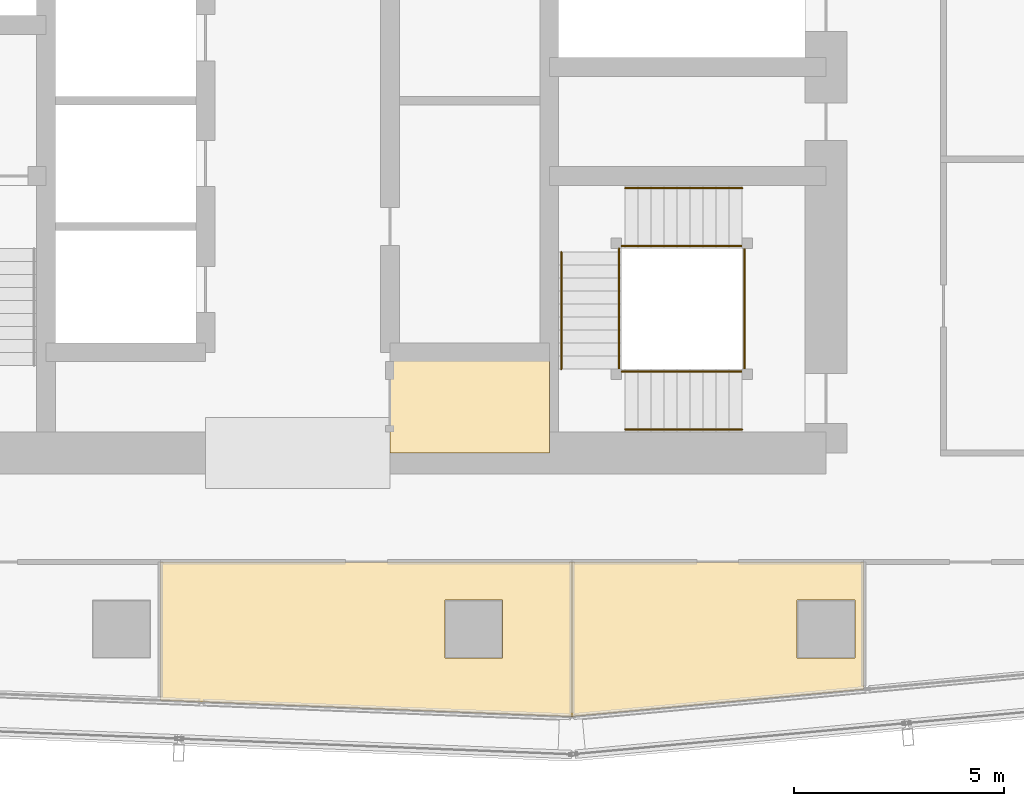
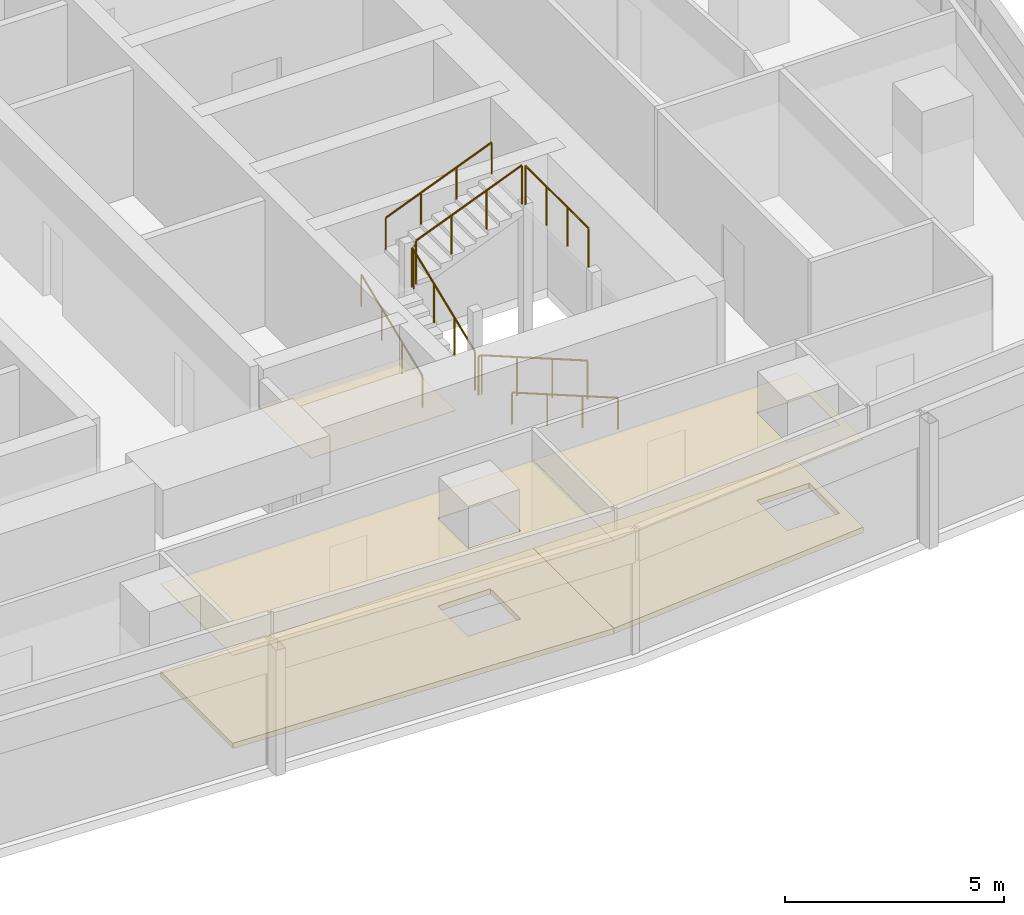
# One storey, part 35 of 38: 10 railings, 5 coverings.
"""IFC4 building model written with IfcOpenShell, lengths in metres."""

from ifc_helpers import new_model, si_unit, direction, frame, origin, origin_2d, place, context, subcontext, project, spatial, polyline, circle, outline, extrude, material, layer, layer_set, type_object, element, save


model = new_model("IFC4")

# Units and contexts
model_context = context("Model", 3, precision=1e-05, world=origin(), true_north=direction((0.0, 1.0)))
body_context = subcontext(model_context, "Body", "Model", "MODEL_VIEW")
ifc_project = project(units=[si_unit("LENGTHUNIT", "METRE"), si_unit("AREAUNIT", "SQUARE_METRE"), si_unit("VOLUMEUNIT", "CUBIC_METRE"), si_unit("PLANEANGLEUNIT", "RADIAN"), si_unit("MASSUNIT", "GRAM", prefix="KILO")], contexts=[model_context])

# Site, building, storey
site_placement = place(None, origin())
site = spatial("IfcSite", under=ifc_project, at=site_placement, CompositionType="ELEMENT")
building_placement = place(site_placement, origin())
building = spatial("IfcBuilding", under=site, at=building_placement, Name="Rekha Terrace Tower", CompositionType="ELEMENT")
storey_placement = place(building_placement, frame((0.0, 0.0, 195.199951171875)))
storey = spatial("IfcBuildingStorey", under=building, at=storey_placement, Name="L49", CompositionType="ELEMENT", Elevation=195.199951171875)

# Coverings
ifc_material_1 = material(Name="Mineral fibre tile in exposed grid", Category="finish")
ifc_layer_1 = layer(ifc_material_1, 0.02001953125)
ifc_layer_set_1 = layer_set([ifc_layer_1], Name="Mineral fibre tile in exposed grid")
covering_type_1 = type_object("IfcCoveringType", Name="CL1 600x1200 office grid ceiling", PredefinedType="CEILING", material=ifc_layer_set_1)
covering_1_placement = place(storey_placement, frame((0.0, 0.0, 2.580078125)))
element("IfcCovering", 1, at=covering_1_placement, inside=storey, type_object=covering_type_1, Name="Ceiling L49-02", PredefinedType="CEILING", context=body_context, shape_type="SweptSolid", body=[
    extrude(outline(polyline([(44.343994140625, 18.39990234375), (34.531005859375, 18.39990234375), (34.531005859375, 15.10205078125), (44.343994140625, 14.7109375), (44.343994140625, 18.39990234375)]), holes=[polyline([(42.68994140625, 17.489990234375), (42.68994140625, 16.110107421875), (41.31005859375, 16.110107421875), (41.31005859375, 17.489990234375), (42.68994140625, 17.489990234375)])]), origin(), (0.0, 0.0, 1.0), 0.02001953125),
])
covering_2_placement = place(storey_placement, frame((0.0, 0.0, 2.580078125)))
element("IfcCovering", 2, at=covering_2_placement, inside=storey, type_object=covering_type_1, Name="Ceiling L49-03", PredefinedType="CEILING", context=body_context, shape_type="SweptSolid", body=[
    extrude(outline(polyline([(51.2900390625, 15.362060546875), (51.2900390625, 18.39990234375), (44.344970703125, 18.39990234375), (44.344970703125, 14.715087890625), (51.2900390625, 15.362060546875)]), holes=[polyline([(51.090087890625, 16.110107421875), (49.7099609375, 16.110107421875), (49.7099609375, 17.489990234375), (51.090087890625, 17.489990234375), (51.090087890625, 16.110107421875)])]), origin(), (0.0, 0.0, 1.0), 0.02001953125),
])
ifc_material_2 = material(Name="Fibre cement board", Category="finish")
ifc_layer_2 = layer(ifc_material_2, 0.014892578125)
ifc_layer_set_2 = layer_set([ifc_layer_2], Name="Fibre cement board")
covering_type_2 = type_object("IfcCoveringType", Name="CL2 moisture-resistant board ceiling", PredefinedType="CEILING", material=ifc_layer_set_2)
covering_3_placement = place(storey_placement, frame((0.0, 0.0, 2.5849609375)))
element("IfcCovering", 3, at=covering_3_placement, inside=storey, type_object=covering_type_2, Name="Ceiling L49-WCA", PredefinedType="CEILING", context=body_context, shape_type="SweptSolid", body=[
    extrude(outline(polyline([(43.800048828125, 23.39990234375), (40.0, 23.39990234375), (40.0, 21.0), (43.800048828125, 21.0), (43.800048828125, 23.39990234375)])), origin(), (0.0, 0.0, 1.0), 0.01513671875),
])

# Railings
ifc_material_3 = material(Name="Stainless steel balustrade", Category="steel")
railing_type_1 = type_object("IfcRailingType", Name="GR1 1100 stair guard", PredefinedType="GUARDRAIL", material=ifc_material_3)
railing_1_placement = place(storey_placement, frame((48.39990234375, 22.93994140625, 0.125)))
element("IfcRailing", 4, at=railing_1_placement, inside=storey, type_object=railing_type_1, Name="Guard ST3 L49 flight 1", PredefinedType="GUARDRAIL", context=body_context, shape_type="SweptSolid", body=[
    extrude(circle(Radius=0.02392578125, at=origin_2d()), frame((0.0, 0.0, 1.076171875), z_axis=(-0.927431937212, 0.0, 0.373991980981), x_axis=(0.0, -1.0, 0.0)), (0.0, 0.0, 1.0), 3.008056640625),
    extrude(circle(Radius=0.02099609375, at=origin_2d()), origin(), (0.0, 0.0, 1.0), 1.052001953125),
    extrude(circle(Radius=0.02099609375, at=origin_2d()), frame((-0.929931640625, 0.0, 0.375)), (0.0, 0.0, 1.0), 1.052001953125),
    extrude(circle(Radius=0.02099609375, at=origin_2d()), frame((-1.85986328125, 0.0, 0.75)), (0.0, 0.0, 1.0), 1.052001953125),
    extrude(circle(Radius=0.02099609375, at=origin_2d()), frame((-2.789794921875, 0.0, 1.125)), (0.0, 0.0, 1.0), 1.052001953125),
])
railing_2_placement = place(storey_placement, frame((45.465087890625, 23.0, 1.375)))
element("IfcRailing", 5, at=railing_2_placement, inside=storey, type_object=railing_type_1, Name="Guard ST3 L49 flight 2", PredefinedType="GUARDRAIL", context=body_context, shape_type="SweptSolid", body=[
    extrude(circle(Radius=0.02392578125, at=origin_2d()), frame((0.0, 0.0, 1.076171875), z_axis=(0.0, 0.927443287984, 0.373963831907), x_axis=(-1.0, 0.0, 0.0)), (0.0, 0.0, 1.0), 3.00830078125),
    extrude(circle(Radius=0.02099609375, at=origin_2d()), origin(), (0.0, 0.0, 1.0), 1.052001953125),
    extrude(circle(Radius=0.02099609375, at=origin_2d()), frame((0.0, 0.929931640625, 0.375)), (0.0, 0.0, 1.0), 1.052001953125),
    extrude(circle(Radius=0.02099609375, at=origin_2d()), frame((0.0, 1.860107421875, 0.75)), (0.0, 0.0, 1.0), 1.052001953125),
    extrude(circle(Radius=0.02099609375, at=origin_2d()), frame((0.0, 2.7900390625, 1.125)), (0.0, 0.0, 1.0), 1.052001953125),
])
railing_3_placement = place(storey_placement, frame((45.610107421875, 25.93505859375, 2.625)))
element("IfcRailing", 6, at=railing_3_placement, inside=storey, type_object=railing_type_1, Name="Guard ST3 L49 flight 3", PredefinedType="GUARDRAIL", context=body_context, shape_type="SweptSolid", body=[
    extrude(circle(Radius=0.02392578125, at=origin_2d()), frame((0.0, 0.0, 1.076171875), z_axis=(0.927431937212, 0.0, 0.373991980981), x_axis=(0.0, 1.0, 0.0)), (0.0, 0.0, 1.0), 3.008056640625),
    extrude(circle(Radius=0.02099609375, at=origin_2d()), origin(), (0.0, 0.0, 1.0), 1.052001953125),
    extrude(circle(Radius=0.02099609375, at=origin_2d()), frame((0.929931640625, 0.0, 0.375)), (0.0, 0.0, 1.0), 1.052001953125),
    extrude(circle(Radius=0.02099609375, at=origin_2d()), frame((1.85986328125, 0.0, 0.75)), (0.0, 0.0, 1.0), 1.052001953125),
    extrude(circle(Radius=0.02099609375, at=origin_2d()), frame((2.789794921875, 0.0, 1.125)), (0.0, 0.0, 1.0), 1.052001953125),
])
railing_4_placement = place(storey_placement, frame((45.610107421875, 22.93994140625, 1.25)))
element("IfcRailing", 7, at=railing_4_placement, inside=storey, type_object=railing_type_1, Name="Guard ST3 L49 landing 1", PredefinedType="GUARDRAIL", context=body_context, shape_type="SweptSolid", body=[
    extrude(circle(Radius=0.02392578125, at=origin_2d()), frame((0.0, 0.0, 1.076171875), z_axis=(-1.0, 0.0, 0.0), x_axis=(0.0, -1.0, 0.0)), (0.0, 0.0, 1.0), 0.085205078125),
    extrude(circle(Radius=0.02099609375, at=origin_2d()), origin(), (0.0, 0.0, 1.0), 1.052001953125),
    extrude(circle(Radius=0.02099609375, at=origin_2d()), frame((-0.085205078125, 0.0, 0.0)), (0.0, 0.0, 1.0), 1.052001953125),
])
railing_5_placement = place(storey_placement, frame((45.465087890625, 25.7900390625, 2.5)))
element("IfcRailing", 8, at=railing_5_placement, inside=storey, type_object=railing_type_1, Name="Guard ST3 L49 landing 2", PredefinedType="GUARDRAIL", context=body_context, shape_type="SweptSolid", body=[
    extrude(circle(Radius=0.02392578125, at=origin_2d()), frame((0.0, 0.0, 1.076171875), z_axis=(0.0, 1.0, 0.0), x_axis=(-1.0, 0.0, 0.0)), (0.0, 0.0, 1.0), 0.0849609375),
    extrude(circle(Radius=0.02099609375, at=origin_2d()), origin(), (0.0, 0.0, 1.0), 1.052001953125),
    extrude(circle(Radius=0.02099609375, at=origin_2d()), frame((0.0, 0.0849609375, 0.0)), (0.0, 0.0, 1.0), 1.052001953125),
])
railing_6_placement = place(storey_placement, frame((45.610107421875, 25.93505859375, 2.5)))
element("IfcRailing", 9, at=railing_6_placement, inside=storey, type_object=railing_type_1, Name="Guard ST3 L49 landing 3", PredefinedType="GUARDRAIL", context=body_context, shape_type="SweptSolid", body=[
    extrude(circle(Radius=0.02392578125, at=origin_2d()), frame((0.0, 0.0, 1.076171875), z_axis=(-1.0, 0.0, 0.0), x_axis=(0.0, -1.0, 0.0)), (0.0, 0.0, 1.0), 0.085205078125),
    extrude(circle(Radius=0.02099609375, at=origin_2d()), origin(), (0.0, 0.0, 1.0), 1.052001953125),
    extrude(circle(Radius=0.02099609375, at=origin_2d()), frame((-0.085205078125, 0.0, 0.0)), (0.0, 0.0, 1.0), 1.052001953125),
])
railing_7_placement = place(storey_placement, frame((48.4599609375, 23.0, 3.75)))
element("IfcRailing", 10, at=railing_7_placement, inside=storey, type_object=railing_type_1, Name="Guard ST3 L49 landing 4", PredefinedType="GUARDRAIL", context=body_context, shape_type="SweptSolid", body=[
    extrude(circle(Radius=0.02392578125, at=origin_2d()), frame((0.0, 0.0, 1.076171875), z_axis=(0.0, 1.0, 0.0), x_axis=(-1.0, 0.0, 0.0)), (0.0, 0.0, 1.0), 2.875),
    extrude(circle(Radius=0.02099609375, at=origin_2d()), origin(), (0.0, 0.0, 1.0), 1.052001953125),
    extrude(circle(Radius=0.02099609375, at=origin_2d()), frame((0.0, 0.958251953125, 0.0)), (0.0, 0.0, 1.0), 1.052001953125),
    extrude(circle(Radius=0.02099609375, at=origin_2d()), frame((0.0, 1.916748046875, 0.0)), (0.0, 0.0, 1.0), 1.052001953125),
    extrude(circle(Radius=0.02099609375, at=origin_2d()), frame((0.0, 2.875, 0.0)), (0.0, 0.0, 1.0), 1.052001953125),
])
ifc_material_4 = material(Name="Stainless steel tube", Category="steel")
railing_type_2 = type_object("IfcRailingType", Name="HR1 900 stair handrail", PredefinedType="HANDRAIL", material=ifc_material_4)
railing_8_placement = place(storey_placement, frame((48.39990234375, 21.56005859375, 0.125)))
element("IfcRailing", 11, at=railing_8_placement, inside=storey, type_object=railing_type_2, Name="Handrail ST3 L49 flight 1", PredefinedType="HANDRAIL", context=body_context, shape_type="SweptSolid", body=[
    extrude(circle(Radius=0.02392578125, at=origin_2d()), frame((0.0, 0.0, 0.8759765625), z_axis=(-0.927431937212, 0.0, 0.373991980981), x_axis=(0.0, -1.0, 0.0)), (0.0, 0.0, 1.0), 3.008056640625),
    extrude(circle(Radius=0.02099609375, at=origin_2d()), origin(), (0.0, 0.0, 1.0), 0.851806640625),
    extrude(circle(Radius=0.02099609375, at=origin_2d()), frame((-0.929931640625, 0.0, 0.375)), (0.0, 0.0, 1.0), 0.851806640625),
    extrude(circle(Radius=0.02099609375, at=origin_2d()), frame((-1.85986328125, 0.0, 0.75)), (0.0, 0.0, 1.0), 0.851806640625),
    extrude(circle(Radius=0.02099609375, at=origin_2d()), frame((-2.789794921875, 0.0, 1.125)), (0.0, 0.0, 1.0), 0.851806640625),
])
railing_9_placement = place(storey_placement, frame((44.0849609375, 23.0, 1.375)))
element("IfcRailing", 12, at=railing_9_placement, inside=storey, type_object=railing_type_2, Name="Handrail ST3 L49 flight 2", PredefinedType="HANDRAIL", context=body_context, shape_type="SweptSolid", body=[
    extrude(circle(Radius=0.02392578125, at=origin_2d()), frame((0.0, 0.0, 0.8759765625), z_axis=(0.0, 0.927443287984, 0.373963831907), x_axis=(-1.0, 0.0, 0.0)), (0.0, 0.0, 1.0), 3.00830078125),
    extrude(circle(Radius=0.02099609375, at=origin_2d()), origin(), (0.0, 0.0, 1.0), 0.851806640625),
    extrude(circle(Radius=0.02099609375, at=origin_2d()), frame((0.0, 0.929931640625, 0.375)), (0.0, 0.0, 1.0), 0.851806640625),
    extrude(circle(Radius=0.02099609375, at=origin_2d()), frame((0.0, 1.860107421875, 0.75)), (0.0, 0.0, 1.0), 0.851806640625),
    extrude(circle(Radius=0.02099609375, at=origin_2d()), frame((0.0, 2.7900390625, 1.125)), (0.0, 0.0, 1.0), 0.851806640625),
])
railing_10_placement = place(storey_placement, frame((45.610107421875, 27.31494140625, 2.625)))
element("IfcRailing", 13, at=railing_10_placement, inside=storey, type_object=railing_type_2, Name="Handrail ST3 L49 flight 3", PredefinedType="HANDRAIL", context=body_context, shape_type="SweptSolid", body=[
    extrude(circle(Radius=0.02392578125, at=origin_2d()), frame((0.0, 0.0, 0.8759765625), z_axis=(0.927431937212, 0.0, 0.373991980981), x_axis=(0.0, 1.0, 0.0)), (0.0, 0.0, 1.0), 3.008056640625),
    extrude(circle(Radius=0.02099609375, at=origin_2d()), origin(), (0.0, 0.0, 1.0), 0.851806640625),
    extrude(circle(Radius=0.02099609375, at=origin_2d()), frame((0.929931640625, 0.0, 0.375)), (0.0, 0.0, 1.0), 0.851806640625),
    extrude(circle(Radius=0.02099609375, at=origin_2d()), frame((1.85986328125, 0.0, 0.75)), (0.0, 0.0, 1.0), 0.851806640625),
    extrude(circle(Radius=0.02099609375, at=origin_2d()), frame((2.789794921875, 0.0, 1.125)), (0.0, 0.0, 1.0), 0.851806640625),
])

# Coverings
ifc_material_5 = material(Name="Calcium sulphate panels on steel pedestals", Category="steel")
ifc_layer_3 = layer(ifc_material_5, 0.14990234375)
ifc_layer_set_3 = layer_set([ifc_layer_3], Name="Calcium sulphate panels on steel pedestals")
covering_type_3 = type_object("IfcCoveringType", Name="RF1 150 raised access floor", PredefinedType="FLOORING", material=ifc_layer_set_3)
covering_4_placement = place(storey_placement, origin())
element("IfcCovering", 14, at=covering_4_placement, inside=storey, type_object=covering_type_3, Name="Raised floor L49-02", PredefinedType="FLOORING", context=body_context, shape_type="SweptSolid", body=[
    extrude(outline(polyline([(44.343994140625, 18.39990234375), (34.531005859375, 18.39990234375), (34.531005859375, 15.10205078125), (44.343994140625, 14.7109375), (44.343994140625, 18.39990234375)]), holes=[polyline([(42.68994140625, 17.489990234375), (42.68994140625, 16.110107421875), (41.31005859375, 16.110107421875), (41.31005859375, 17.489990234375), (42.68994140625, 17.489990234375)])]), origin(), (0.0, 0.0, 1.0), 0.150146484375),
])
covering_5_placement = place(storey_placement, origin())
element("IfcCovering", 15, at=covering_5_placement, inside=storey, type_object=covering_type_3, Name="Raised floor L49-03", PredefinedType="FLOORING", context=body_context, shape_type="SweptSolid", body=[
    extrude(outline(polyline([(51.2900390625, 15.362060546875), (51.2900390625, 18.39990234375), (44.344970703125, 18.39990234375), (44.344970703125, 14.715087890625), (51.2900390625, 15.362060546875)]), holes=[polyline([(51.090087890625, 16.110107421875), (49.7099609375, 16.110107421875), (49.7099609375, 17.489990234375), (51.090087890625, 17.489990234375), (51.090087890625, 16.110107421875)])]), origin(), (0.0, 0.0, 1.0), 0.150146484375),
])

save(model, "model.ifc")
